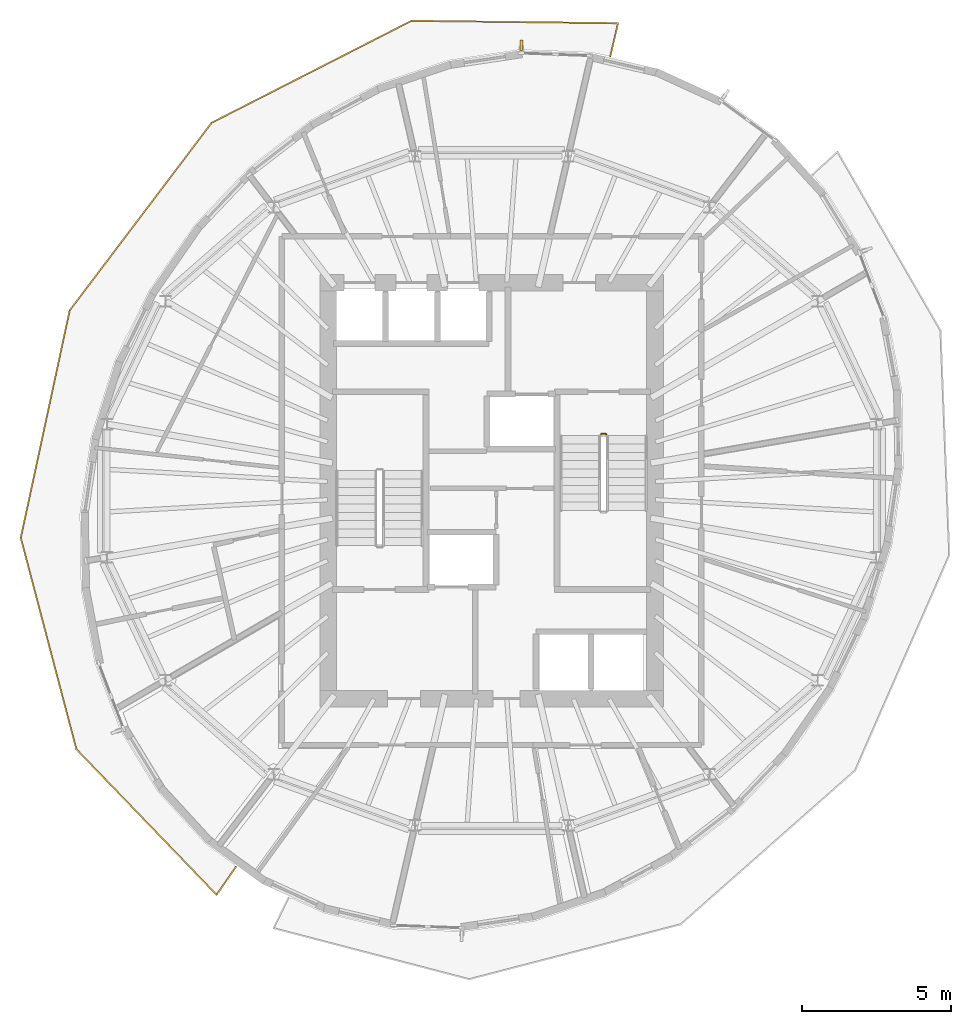
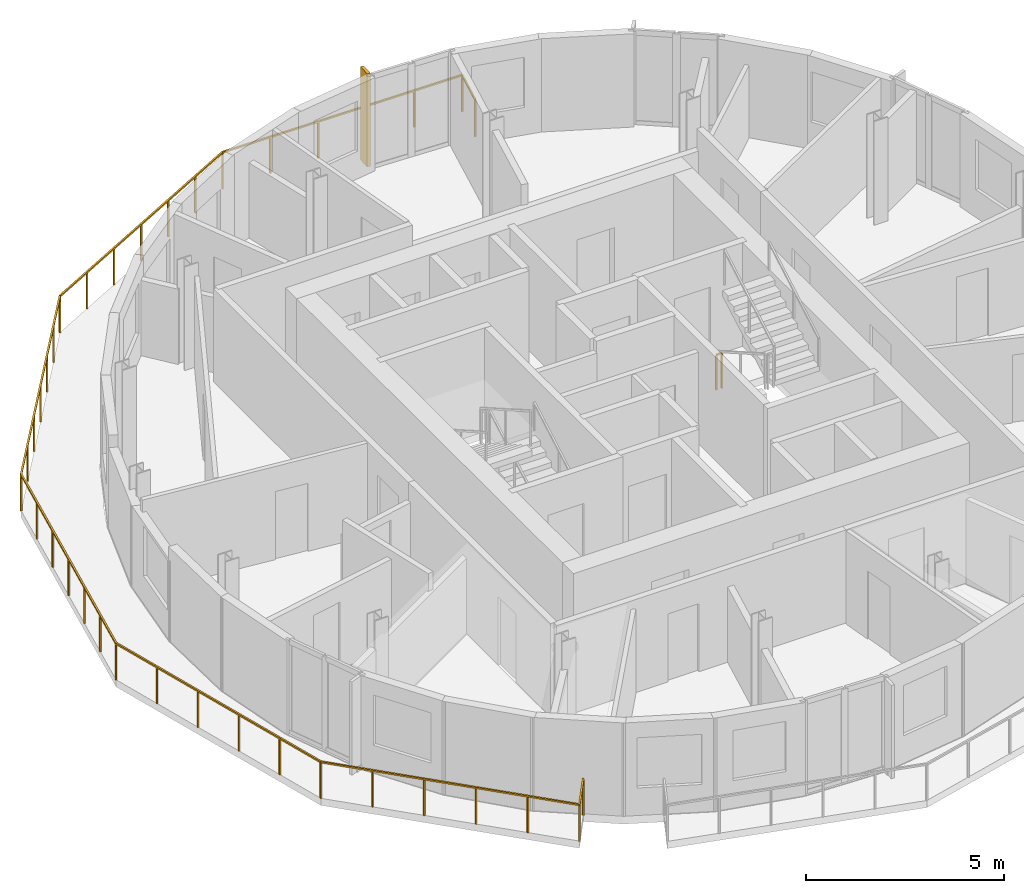
# One storey, part 10 of 11: 2 railings, 1 shading device.
"""IFC4 building model written with IfcOpenShell, lengths in metres."""

from ifc_helpers import new_model, si_unit, direction, frame, origin, origin_2d, place, context, subcontext, project, spatial, rectangle, extrude, material, layer, layer_set, type_object, element, save


model = new_model("IFC4")

# Units and contexts
model_context = context("Model", 3, precision=1e-05, world=origin(), true_north=direction((0.0, 1.0)))
body_context = subcontext(model_context, "Body", "Model", "MODEL_VIEW")
ifc_project = project(units=[si_unit("LENGTHUNIT", "METRE"), si_unit("AREAUNIT", "SQUARE_METRE"), si_unit("VOLUMEUNIT", "CUBIC_METRE"), si_unit("PLANEANGLEUNIT", "RADIAN"), si_unit("MASSUNIT", "GRAM", prefix="KILO")], contexts=[model_context])

# Site, building, storey
site_placement = place(None, origin())
site = spatial("IfcSite", under=ifc_project, at=site_placement, CompositionType="ELEMENT")
building_placement = place(site_placement, origin())
building = spatial("IfcBuilding", under=site, at=building_placement, Name="Veldorim Arch Residences", CompositionType="ELEMENT")
storey_placement = place(building_placement, frame((0.0, 0.0, 239.840087890625)))
storey = spatial("IfcBuildingStorey", under=building, at=storey_placement, Name="L72", CompositionType="ELEMENT", Elevation=239.840087890625)

# Railings
ifc_material_1 = material(Name="Aluminium", Category="aluminium")
railing_type_1 = type_object("IfcRailingType", Name="Balcony & Terrace Laminated Glass Balustrade 1150", PredefinedType="BALUSTRADE", material=ifc_material_1)
railing_1_placement = place(storey_placement, frame((35.997314453125, 38.618896484375, 0.0)))
element("IfcRailing", 1, at=railing_1_placement, inside=storey, type_object=railing_type_1, Name="L72 crescent balcony safety balustrade A", PredefinedType="BALUSTRADE", context=body_context, shape_type="SweptSolid", body=[
    extrude(rectangle(XDim=0.048095703125, YDim=0.048095703125, at=origin_2d()), frame((0.0, 0.0, 1.1259765625), z_axis=(0.227571855929, 0.97376129025, 0.0), x_axis=(-0.97376129025, 0.227571855929, 0.0)), (0.0, 0.0, 1.0), 1.150146484375),
    extrude(rectangle(XDim=0.048095703125, YDim=0.048095703125, at=origin_2d()), frame((0.26171875, 1.119873046875, 1.1259765625), z_axis=(-0.999933338896, 0.011546331198, 0.0), x_axis=(-0.011546331198, -0.999933338896, 0.0)), (0.0, 0.0, 1.0), 6.95654296875),
    extrude(rectangle(XDim=0.048095703125, YDim=0.048095703125, at=origin_2d()), frame((-6.6943359375, 1.2001953125, 1.1259765625), z_axis=(-0.890713008581, -0.454566096783, 0.0), x_axis=(0.454566096783, -0.890713008581, 0.0)), (0.0, 0.0, 1.0), 7.55517578125),
    extrude(rectangle(XDim=0.048095703125, YDim=0.048095703125, at=origin_2d()), frame((-13.423828125, -2.234130859375, 1.1259765625), z_axis=(-0.60329484333, -0.797518233027, 0.0), x_axis=(0.797518233027, -0.60329484333, 0.0)), (0.0, 0.0, 1.0), 7.919189453125),
    extrude(rectangle(XDim=0.048095703125, YDim=0.048095703125, at=origin_2d()), frame((-18.201416015625, -8.5498046875, 1.1259765625), z_axis=(-0.210244385484, -0.977648862513, 0.0), x_axis=(0.977648862513, -0.210244385484, 0.0)), (0.0, 0.0, 1.0), 7.831298828125),
    extrude(rectangle(XDim=0.048095703125, YDim=0.048095703125, at=origin_2d()), frame((-19.847900390625, -16.2060546875, 1.1259765625), z_axis=(0.254331582217, -0.967117079927, 0.0), x_axis=(0.967117079927, 0.254331582217, 0.0)), (0.0, 0.0, 1.0), 7.35693359375),
    extrude(rectangle(XDim=0.048095703125, YDim=0.048095703125, at=origin_2d()), frame((-17.976806640625, -23.321044921875, 1.1259765625), z_axis=(0.693423926079, -0.720529845837, 0.0), x_axis=(0.720529845837, 0.693423926079, 0.0)), (0.0, 0.0, 1.0), 6.809326171875),
    extrude(rectangle(XDim=0.048095703125, YDim=0.048095703125, at=origin_2d()), frame((-13.255126953125, -28.227294921875, 1.1259765625), z_axis=(0.570037677887, 0.821618552486, 0.0), x_axis=(-0.821618552486, 0.570037677887, 0.0)), (0.0, 0.0, 1.0), 1.14990234375),
    extrude(rectangle(XDim=0.0419921875, YDim=0.0419921875, at=origin_2d()), origin(), (0.0, 0.0, 1.0), 1.101806640625),
    extrude(rectangle(XDim=0.0419921875, YDim=0.0419921875, at=origin_2d()), frame((0.26171875, 1.119873046875, 0.0)), (0.0, 0.0, 1.0), 1.101806640625),
    extrude(rectangle(XDim=0.0419921875, YDim=0.0419921875, at=origin_2d()), frame((-1.12939453125, 1.135986328125, 0.0)), (0.0, 0.0, 1.0), 1.101806640625),
    extrude(rectangle(XDim=0.0419921875, YDim=0.0419921875, at=origin_2d()), frame((-2.520751953125, 1.152099609375, 0.0)), (0.0, 0.0, 1.0), 1.101806640625),
    extrude(rectangle(XDim=0.0419921875, YDim=0.0419921875, at=origin_2d()), frame((-3.911865234375, 1.16796875, 0.0)), (0.0, 0.0, 1.0), 1.101806640625),
    extrude(rectangle(XDim=0.0419921875, YDim=0.0419921875, at=origin_2d()), frame((-5.30322265625, 1.18408203125, 0.0)), (0.0, 0.0, 1.0), 1.101806640625),
    extrude(rectangle(XDim=0.0419921875, YDim=0.0419921875, at=origin_2d()), frame((-6.6943359375, 1.2001953125, 0.0)), (0.0, 0.0, 1.0), 1.101806640625),
    extrude(rectangle(XDim=0.0419921875, YDim=0.0419921875, at=origin_2d()), frame((-7.81591796875, 0.6279296875, 0.0)), (0.0, 0.0, 1.0), 1.101806640625),
    extrude(rectangle(XDim=0.0419921875, YDim=0.0419921875, at=origin_2d()), frame((-8.9375, 0.055419921875, 0.0)), (0.0, 0.0, 1.0), 1.101806640625),
    extrude(rectangle(XDim=0.0419921875, YDim=0.0419921875, at=origin_2d()), frame((-10.05908203125, -0.51708984375, 0.0)), (0.0, 0.0, 1.0), 1.101806640625),
    extrude(rectangle(XDim=0.0419921875, YDim=0.0419921875, at=origin_2d()), frame((-11.1806640625, -1.08935546875, 0.0)), (0.0, 0.0, 1.0), 1.101806640625),
    extrude(rectangle(XDim=0.0419921875, YDim=0.0419921875, at=origin_2d()), frame((-12.30224609375, -1.66162109375, 0.0)), (0.0, 0.0, 1.0), 1.101806640625),
    extrude(rectangle(XDim=0.0419921875, YDim=0.0419921875, at=origin_2d()), frame((-13.423828125, -2.234130859375, 0.0)), (0.0, 0.0, 1.0), 1.101806640625),
    extrude(rectangle(XDim=0.0419921875, YDim=0.0419921875, at=origin_2d()), frame((-14.22021484375, -3.28662109375, 0.0)), (0.0, 0.0, 1.0), 1.101806640625),
    extrude(rectangle(XDim=0.0419921875, YDim=0.0419921875, at=origin_2d()), frame((-15.016357421875, -4.33935546875, 0.0)), (0.0, 0.0, 1.0), 1.101806640625),
    extrude(rectangle(XDim=0.0419921875, YDim=0.0419921875, at=origin_2d()), frame((-15.8125, -5.39208984375, 0.0)), (0.0, 0.0, 1.0), 1.101806640625),
    extrude(rectangle(XDim=0.0419921875, YDim=0.0419921875, at=origin_2d()), frame((-16.60888671875, -6.444580078125, 0.0)), (0.0, 0.0, 1.0), 1.101806640625),
    extrude(rectangle(XDim=0.0419921875, YDim=0.0419921875, at=origin_2d()), frame((-17.4052734375, -7.4970703125, 0.0)), (0.0, 0.0, 1.0), 1.101806640625),
    extrude(rectangle(XDim=0.0419921875, YDim=0.0419921875, at=origin_2d()), frame((-18.201416015625, -8.5498046875, 0.0)), (0.0, 0.0, 1.0), 1.101806640625),
    extrude(rectangle(XDim=0.0419921875, YDim=0.0419921875, at=origin_2d()), frame((-18.475830078125, -9.825927734375, 0.0)), (0.0, 0.0, 1.0), 1.101806640625),
    extrude(rectangle(XDim=0.0419921875, YDim=0.0419921875, at=origin_2d()), frame((-18.750244140625, -11.101806640625, 0.0)), (0.0, 0.0, 1.0), 1.101806640625),
    extrude(rectangle(XDim=0.0419921875, YDim=0.0419921875, at=origin_2d()), frame((-19.024658203125, -12.3779296875, 0.0)), (0.0, 0.0, 1.0), 1.101806640625),
    extrude(rectangle(XDim=0.0419921875, YDim=0.0419921875, at=origin_2d()), frame((-19.299072265625, -13.654052734375, 0.0)), (0.0, 0.0, 1.0), 1.101806640625),
    extrude(rectangle(XDim=0.0419921875, YDim=0.0419921875, at=origin_2d()), frame((-19.573486328125, -14.929931640625, 0.0)), (0.0, 0.0, 1.0), 1.101806640625),
    extrude(rectangle(XDim=0.0419921875, YDim=0.0419921875, at=origin_2d()), frame((-19.847900390625, -16.2060546875, 0.0)), (0.0, 0.0, 1.0), 1.101806640625),
    extrude(rectangle(XDim=0.0419921875, YDim=0.0419921875, at=origin_2d()), frame((-19.4736328125, -17.629150390625, 0.0)), (0.0, 0.0, 1.0), 1.101806640625),
    extrude(rectangle(XDim=0.0419921875, YDim=0.0419921875, at=origin_2d()), frame((-19.099365234375, -19.052001953125, 0.0)), (0.0, 0.0, 1.0), 1.101806640625),
    extrude(rectangle(XDim=0.0419921875, YDim=0.0419921875, at=origin_2d()), frame((-18.725341796875, -20.47509765625, 0.0)), (0.0, 0.0, 1.0), 1.101806640625),
    extrude(rectangle(XDim=0.0419921875, YDim=0.0419921875, at=origin_2d()), frame((-18.35107421875, -21.89794921875, 0.0)), (0.0, 0.0, 1.0), 1.101806640625),
    extrude(rectangle(XDim=0.0419921875, YDim=0.0419921875, at=origin_2d()), frame((-17.976806640625, -23.321044921875, 0.0)), (0.0, 0.0, 1.0), 1.101806640625),
    extrude(rectangle(XDim=0.0419921875, YDim=0.0419921875, at=origin_2d()), frame((-17.032470703125, -24.30224609375, 0.0)), (0.0, 0.0, 1.0), 1.101806640625),
    extrude(rectangle(XDim=0.0419921875, YDim=0.0419921875, at=origin_2d()), frame((-16.088134765625, -25.283447265625, 0.0)), (0.0, 0.0, 1.0), 1.101806640625),
    extrude(rectangle(XDim=0.0419921875, YDim=0.0419921875, at=origin_2d()), frame((-15.143798828125, -26.264892578125, 0.0)), (0.0, 0.0, 1.0), 1.101806640625),
    extrude(rectangle(XDim=0.0419921875, YDim=0.0419921875, at=origin_2d()), frame((-14.199462890625, -27.24609375, 0.0)), (0.0, 0.0, 1.0), 1.101806640625),
    extrude(rectangle(XDim=0.0419921875, YDim=0.0419921875, at=origin_2d()), frame((-13.255126953125, -28.227294921875, 0.0)), (0.0, 0.0, 1.0), 1.101806640625),
    extrude(rectangle(XDim=0.0419921875, YDim=0.0419921875, at=origin_2d()), frame((-12.599609375, -27.282470703125, 0.0)), (0.0, 0.0, 1.0), 1.101806640625),
])
ifc_material_2 = material(Name="Steel S355", Category="steel")
railing_type_2 = type_object("IfcRailingType", Name="Galvanised Steel Stair Safety Guardrail 1100", PredefinedType="GUARDRAIL", material=ifc_material_2)
railing_2_placement = place(storey_placement, frame((35.68994140625, 25.89990234375, 0.0)))
element("IfcRailing", 2, at=railing_2_placement, inside=storey, type_object=railing_type_2, Name="L72 ST-2 stair guard 4", PredefinedType="GUARDRAIL", context=body_context, shape_type="SweptSolid", body=[
    extrude(rectangle(XDim=0.048095703125, YDim=0.048095703125, at=origin_2d()), frame((0.0, 0.0, 1.076171875), z_axis=(1.0, 0.0, 0.0), x_axis=(0.0, 1.0, 0.0)), (0.0, 0.0, 1.0), 0.16015625),
    extrude(rectangle(XDim=0.0419921875, YDim=0.0419921875, at=origin_2d()), origin(), (0.0, 0.0, 1.0), 1.052001953125),
    extrude(rectangle(XDim=0.0419921875, YDim=0.0419921875, at=origin_2d()), frame((0.16015625, 0.0, 0.0)), (0.0, 0.0, 1.0), 1.052001953125),
])

# Shading device
ifc_material_3 = material(Name="Terracotta Ceramic", Category="masonry")
ifc_layer = layer(ifc_material_3, 0.090087890625, Name="Vertical Extruded Terracotta Baguette Sun-Shading Fin")
ifc_layer_set = layer_set([ifc_layer], Name="Terracotta Ceramic")
shading_device_type = type_object("IfcShadingDeviceType", Name="Vertical Extruded Terracotta Baguette Sun-Shading Fin", PredefinedType="USERDEFINED", material=ifc_layer_set)
shading_device_placement = place(storey_placement, frame((33.00341796875, 38.995361328125, 0.0), z_axis=(0.0, 0.0, 1.0), x_axis=(0.999289472641, -0.03769018267, 0.0)))
element("IfcShadingDevice", 3, at=shading_device_placement, inside=storey, type_object=shading_device_type, Name="L72 vertical terracotta sun-shading fin 03", ObjectType="FIN", PredefinedType="USERDEFINED", context=body_context, shape_type="SweptSolid", body=[
    extrude(rectangle(XDim=0.090087890625, YDim=0.360107421875, at=origin_2d()), origin(), (0.0, 0.0, 1.0), 2.8798828125),
])

save(model, "model.ifc")
